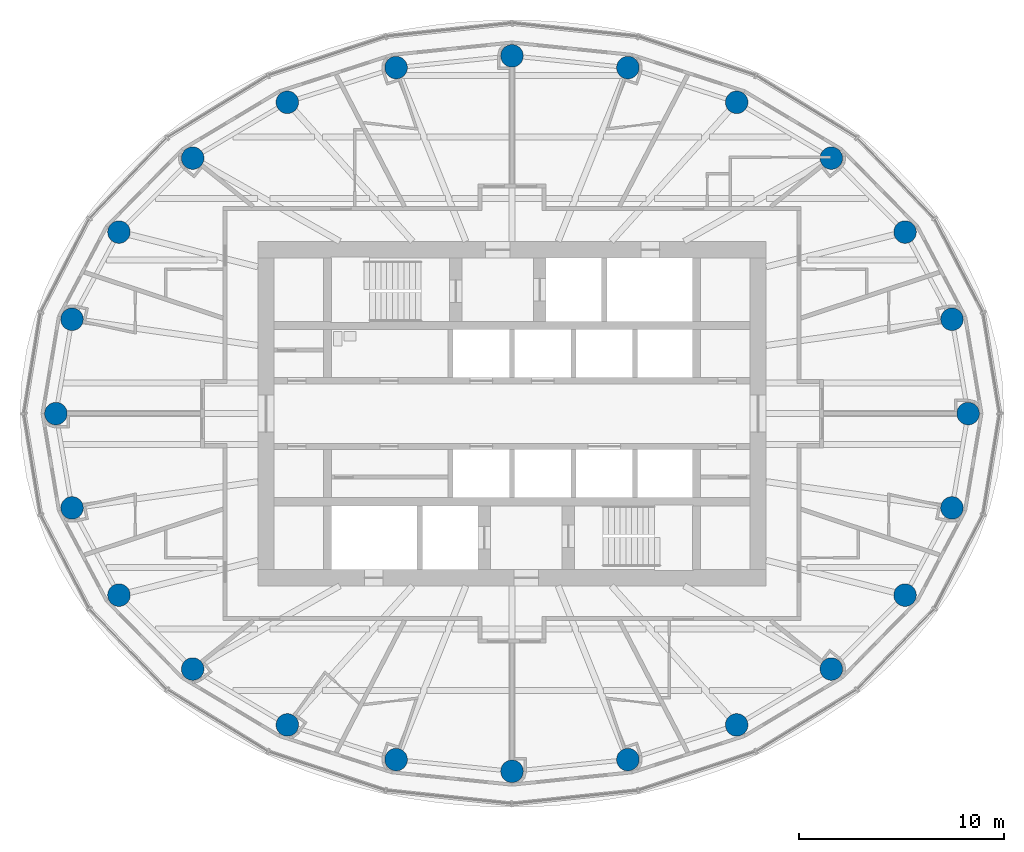
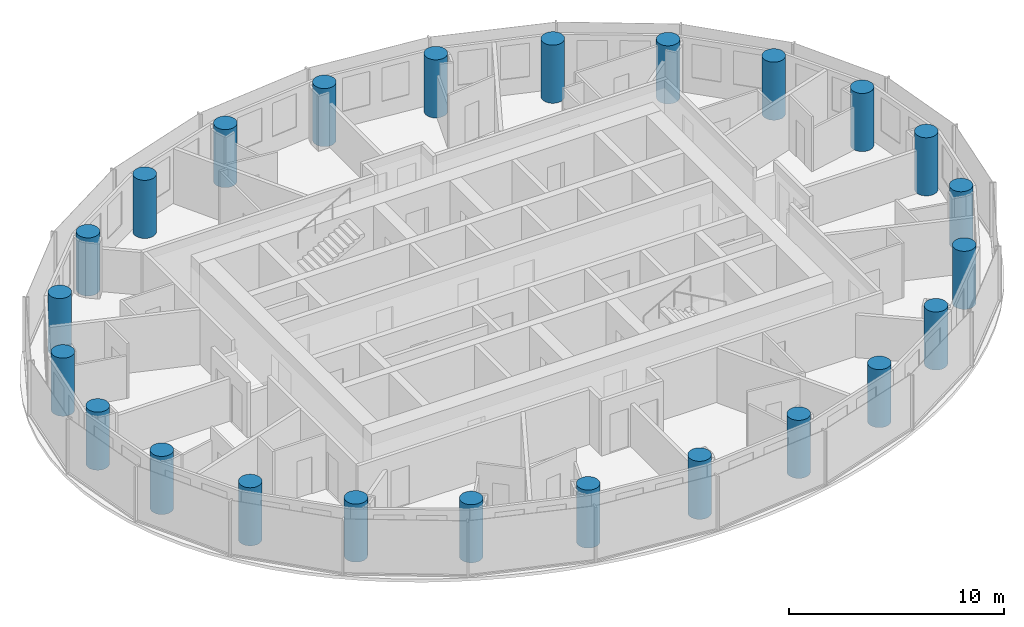
# One storey, part 1 of 16: 24 columns.
"""IFC4 building model written with IfcOpenShell, lengths in metres."""

from ifc_helpers import new_model, si_unit, direction, frame, origin, origin_2d, place, context, subcontext, project, spatial, circle, extrude, material, material_profile, profile_set, type_object, element, save


model = new_model("IFC4")

# Units and contexts
model_context = context("Model", 3, precision=1e-05, world=origin(), true_north=direction((0.0, 1.0)))
body_context = subcontext(model_context, "Body", "Model", "MODEL_VIEW")
ifc_project = project(units=[si_unit("LENGTHUNIT", "METRE"), si_unit("AREAUNIT", "SQUARE_METRE"), si_unit("VOLUMEUNIT", "CUBIC_METRE"), si_unit("PLANEANGLEUNIT", "RADIAN"), si_unit("MASSUNIT", "GRAM", prefix="KILO")], contexts=[model_context])

# Site, building, storey
site_placement = place(None, origin())
site = spatial("IfcSite", under=ifc_project, at=site_placement, CompositionType="ELEMENT")
building_placement = place(site_placement, origin())
building = spatial("IfcBuilding", under=site, at=building_placement, Name="Hankou Lantern Tower", CompositionType="ELEMENT")
storey_placement = place(building_placement, frame((0.0, 0.0, 146.699951171875)))
storey = spatial("IfcBuildingStorey", under=building, at=storey_placement, Name="L38", CompositionType="ELEMENT", Elevation=146.699951171875)

# Columns
ifc_material = material(Name="Concrete C50", Category="concrete")
ifc_material_profile = material_profile(ifc_material, circle(Radius=0.550048828125, at=origin_2d()), Name="RC D1100")
ifc_profile_set = profile_set([ifc_material_profile], Name="Concrete C50")
column_type = type_object("IfcColumnType", Name="TC4 PERIMETER COLUMN RC D1100", PredefinedType="COLUMN", material=ifc_profile_set)
for number, where, z_axis, x_axis, name in (
    (1, (22.25, 0.0, 0.0), (0.0, 0.0, 1.0), (1.0, 0.0, 0.0), "Column R01 L38"),
    (2, (21.462646484375, 4.600830078125, 0.0), (0.0, 0.0, 1.0), (1.0, 0.0, 0.0), "Column R02 L38"),
    (3, (19.172119140625, 8.855224609375, 0.0), (0.0, 0.0, 1.0), (1.0, 0.0, 0.0), "Column R03 L38"),
    (4, (15.576171875, 12.4609375, 0.0), (0.0, 0.0, 1.0), (1.0, 0.0, 0.0), "Column R04 L38"),
    (5, (10.959716796875, 15.186279296875, 0.0), (0.0, 0.0, 1.0), (1.0, 0.0, 0.0), "Column R05 L38"),
    (6, (5.65283203125, 16.87744140625, 0.0), (0.0, 0.0, 1.0), (1.0, 0.0, 0.0), "Column R06 L38"),
    (7, (0.0, 17.449951171875, 0.0), (0.0, 0.0, 1.0), (1.0, 0.0, 0.0), "Column R07 L38"),
    (8, (-5.65283203125, 16.87744140625, 0.0), (0.0, 0.0, 1.0), (1.0, 0.0, 0.0), "Column R08 L38"),
    (9, (-10.959716796875, 15.186279296875, 0.0), (0.0, 0.0, 1.0), (1.0, 0.0, 0.0), "Column R09 L38"),
    (10, (-15.576171875, 12.4609375, 0.0), (0.0, 0.0, 1.0), (1.0, 0.0, 0.0), "Column R10 L38"),
    (11, (-19.172119140625, 8.855224609375, 0.0), (0.0, 0.0, 1.0), (1.0, 0.0, 0.0), "Column R11 L38"),
    (12, (-21.462646484375, 4.600830078125, 0.0), (0.0, 0.0, 1.0), (1.0, 0.0, 0.0), "Column R12 L38"),
    (13, (-22.25, 0.0, 0.0), (0.0, 0.0, 1.0), (1.0, 0.0, 0.0), "Column R13 L38"),
    (14, (-21.462646484375, -4.600830078125, 0.0), (0.0, 0.0, 1.0), (1.0, 0.0, 0.0), "Column R14 L38"),
    (15, (-19.172119140625, -8.855224609375, 0.0), (0.0, 0.0, 1.0), (1.0, 0.0, 0.0), "Column R15 L38"),
    (16, (-15.576171875, -12.4609375, 0.0), (0.0, 0.0, 1.0), (1.0, 0.0, 0.0), "Column R16 L38"),
    (17, (-10.959716796875, -15.186279296875, 0.0), (0.0, 0.0, 1.0), (1.0, 0.0, 0.0), "Column R17 L38"),
    (18, (-5.65283203125, -16.87744140625, 0.0), (0.0, 0.0, 1.0), (1.0, 0.0, 0.0), "Column R18 L38"),
    (19, (0.0, -17.449951171875, 0.0), (0.0, 0.0, 1.0), (1.0, 0.0, 0.0), "Column R19 L38"),
    (20, (5.65283203125, -16.87744140625, 0.0), (0.0, 0.0, 1.0), (1.0, 0.0, 0.0), "Column R20 L38"),
    (21, (10.959716796875, -15.186279296875, 0.0), (0.0, 0.0, 1.0), (1.0, 0.0, 0.0), "Column R21 L38"),
    (22, (15.576171875, -12.4609375, 0.0), (0.0, 0.0, 1.0), (1.0, 0.0, 0.0), "Column R22 L38"),
    (23, (19.172119140625, -8.855224609375, 0.0), (0.0, 0.0, 1.0), (1.0, 0.0, 0.0), "Column R23 L38"),
    (24, (21.462646484375, -4.600830078125, 0.0), (0.0, 0.0, 1.0), (1.0, 0.0, 0.0), "Column R24 L38"),
):
    element("IfcColumn", number, at=place(storey_placement, frame(where, z_axis=z_axis, x_axis=x_axis)), inside=storey, type_object=column_type, Name=name, PredefinedType="COLUMN", context=body_context, shape_type="SweptSolid", body=[
        extrude(circle(Radius=0.550048828125, at=origin_2d()), origin(), (0.0, 0.0, 1.0), 3.300048828125),
    ])

save(model, "model.ifc")
